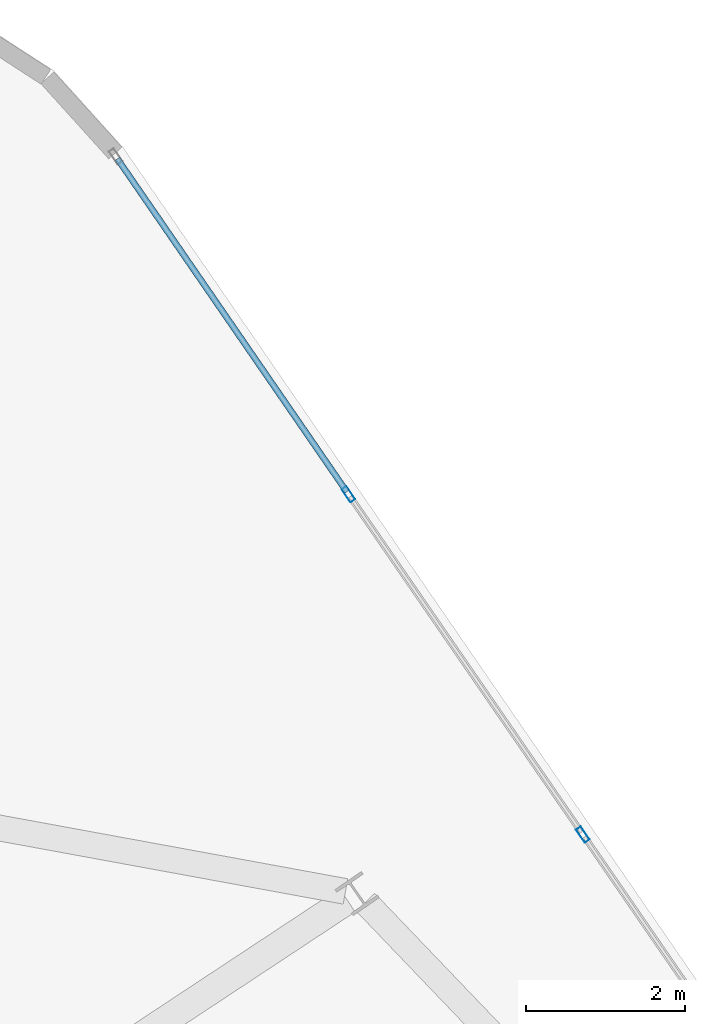
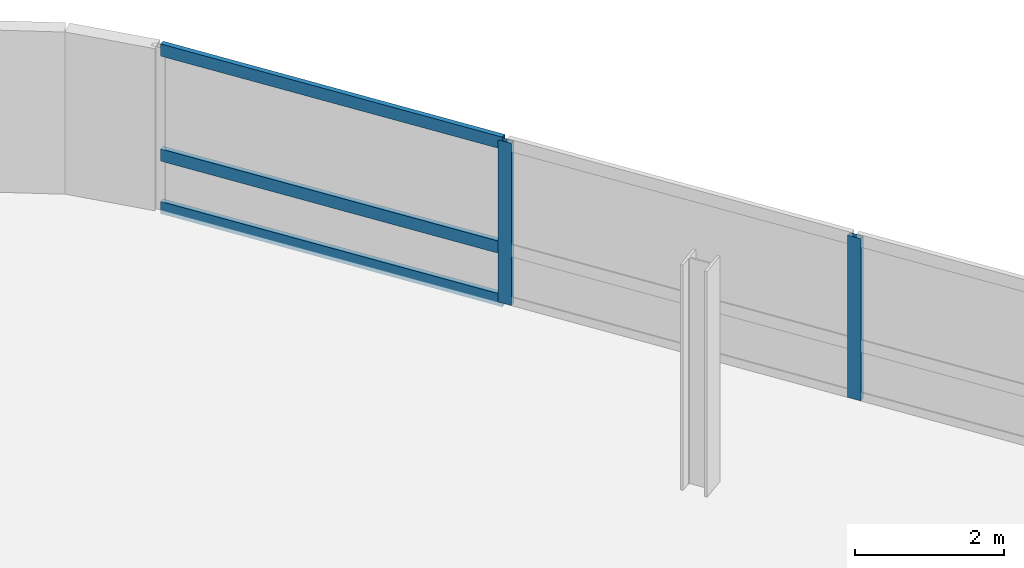
# One storey, part 11 of 23: 5 members, 1 element without a shape of its own.
"""IFC4 building model written with IfcOpenShell, lengths in metres."""

from ifc_helpers import new_model, si_unit, direction, frame, origin, origin_2d, place, context, subcontext, project, spatial, hollow_rectangle, extrude, material, layer, layer_set, material_profile, profile_set, type_object, element, aggregate, save


model = new_model("IFC4")

# Units and contexts
model_context = context("Model", 3, precision=1e-05, world=origin(), true_north=direction((0.0, 1.0)))
body_context = subcontext(model_context, "Body", "Model", "MODEL_VIEW")
ifc_project = project(units=[si_unit("LENGTHUNIT", "METRE"), si_unit("AREAUNIT", "SQUARE_METRE"), si_unit("VOLUMEUNIT", "CUBIC_METRE"), si_unit("PLANEANGLEUNIT", "RADIAN"), si_unit("MASSUNIT", "GRAM", prefix="KILO")], contexts=[model_context])

# Site, building, storey
site_placement = place(None, origin())
site = spatial("IfcSite", under=ifc_project, at=site_placement, CompositionType="ELEMENT")
building_placement = place(site_placement, origin())
building = spatial("IfcBuilding", under=site, at=building_placement, Name="Varnelok Gate Tower", CompositionType="ELEMENT")
storey_placement = place(building_placement, frame((0.0, 0.0, 287.800048828125)))
storey = spatial("IfcBuildingStorey", under=building, at=storey_placement, Name="L74", CompositionType="ELEMENT", Elevation=287.800048828125)

# Curtain wall, members
ifc_material = material(Name="Anodized Aluminum Alloy 6063-T6", Category="aluminium")
ifc_layer = layer(ifc_material, 0.179931640625)
ifc_layer_set = layer_set([ifc_layer], Name="Anodized Aluminum Alloy 6063-T6")
curtain_wall_type = type_object("IfcCurtainWallType", Name="CW6-CROWN-LOOKOUT", PredefinedType="USERDEFINED", material=ifc_layer_set)
curtain_wall_placement = place(storey_placement, origin())
curtain_wall = element("IfcCurtainWall", 1, at=curtain_wall_placement, inside=storey, type_object=curtain_wall_type, Name="L74 East End Vision Curtain Wall", ObjectType="STRUCTURAL GLAZING", PredefinedType="USERDEFINED")
ifc_material_profile_1 = material_profile(ifc_material, hollow_rectangle(XDim=0.074951171875, YDim=0.199951171875, WallThickness=0.00390625, at=origin_2d()), Name="ALU200X75X4")
ifc_profile_set_1 = profile_set([ifc_material_profile_1], Name="Anodized Aluminum Alloy 6063-T6")
member_type_1 = type_object("IfcMemberType", Name="CW-MULL-200", PredefinedType="MULLION", material=ifc_profile_set_1)
member_1_placement = place(storey_placement, frame((60.444091796875, 52.56201171875, 0.0), z_axis=(0.0, 0.0, 1.0), x_axis=(0.823532290241, 0.567269395376, 0.0)))
member_1 = element("IfcMember", 2, at=member_1_placement, type_object=member_type_1, Name="CW6 mullion 2", PredefinedType="MULLION", context=body_context, shape_type="SweptSolid", body=[
    extrude(hollow_rectangle(XDim=0.074951171875, YDim=0.199951171875, WallThickness=0.00390625, at=origin_2d()), origin(), (0.0, 0.0, 1.0), 2.659912109375),
])
member_2_placement = place(storey_placement, frame((63.393798828125, 48.279541015625, 0.0), z_axis=(0.0, 0.0, 1.0), x_axis=(0.823532290241, 0.567269395376, 0.0)))
member_2 = element("IfcMember", 3, at=member_2_placement, type_object=member_type_1, Name="CW6 mullion 3", PredefinedType="MULLION", context=body_context, shape_type="SweptSolid", body=[
    extrude(hollow_rectangle(XDim=0.074951171875, YDim=0.199951171875, WallThickness=0.00390625, at=origin_2d()), origin(), (0.0, 0.0, 1.0), 2.659912109375),
])
ifc_material_profile_2 = material_profile(ifc_material, hollow_rectangle(XDim=0.074951171875, YDim=0.199951171875, WallThickness=0.00390625, at=origin_2d()), Name="ALU200X75X4")
ifc_profile_set_2 = profile_set([ifc_material_profile_2], Name="Anodized Aluminum Alloy 6063-T6")
member_type_2 = type_object("IfcMemberType", Name="CW-TRAN-200", PredefinedType="USERDEFINED", material=ifc_profile_set_2)
member_3_placement = place(storey_placement, frame((57.536865234375, 56.782470703125, 0.037353515625), z_axis=(0.567239421236, -0.823552936365, 0.0), x_axis=(0.823552936365, 0.567239421236, 0.0)))
member_3 = element("IfcMember", 4, at=member_3_placement, type_object=member_type_2, Name="CW6 transom 1.1", ObjectType="TRANSOM", PredefinedType="USERDEFINED", context=body_context, shape_type="SweptSolid", body=[
    extrude(hollow_rectangle(XDim=0.074951171875, YDim=0.199951171875, WallThickness=0.00390625, at=origin_2d()), origin(), (0.0, 0.0, 1.0), 5.08740234375),
])
member_4_placement = place(storey_placement, frame((57.536865234375, 56.782470703125, 0.89990234375), z_axis=(0.567239421236, -0.823552936365, 0.0), x_axis=(0.823552936365, 0.567239421236, 0.0)))
member_4 = element("IfcMember", 5, at=member_4_placement, type_object=member_type_2, Name="CW6 transom 1.2", ObjectType="TRANSOM", PredefinedType="USERDEFINED", context=body_context, shape_type="SweptSolid", body=[
    extrude(hollow_rectangle(XDim=0.074951171875, YDim=0.199951171875, WallThickness=0.00390625, at=origin_2d()), origin(), (0.0, 0.0, 1.0), 5.08740234375),
])
member_5_placement = place(storey_placement, frame((57.536865234375, 56.782470703125, 2.62255859375), z_axis=(0.567239421236, -0.823552936365, 0.0), x_axis=(0.823552936365, 0.567239421236, 0.0)))
member_5 = element("IfcMember", 6, at=member_5_placement, type_object=member_type_2, Name="CW6 transom 1.3", ObjectType="TRANSOM", PredefinedType="USERDEFINED", context=body_context, shape_type="SweptSolid", body=[
    extrude(hollow_rectangle(XDim=0.074951171875, YDim=0.199951171875, WallThickness=0.00390625, at=origin_2d()), origin(), (0.0, 0.0, 1.0), 5.08740234375),
])
aggregate(curtain_wall, [member_1, member_2, member_3, member_4, member_5])

save(model, "model.ifc")
